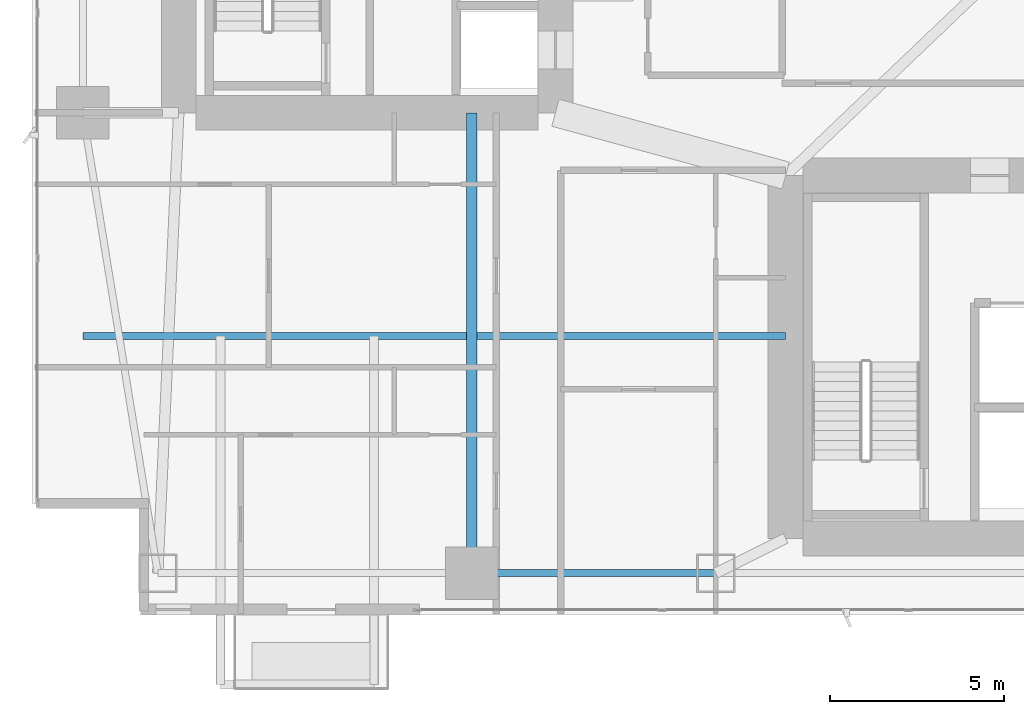
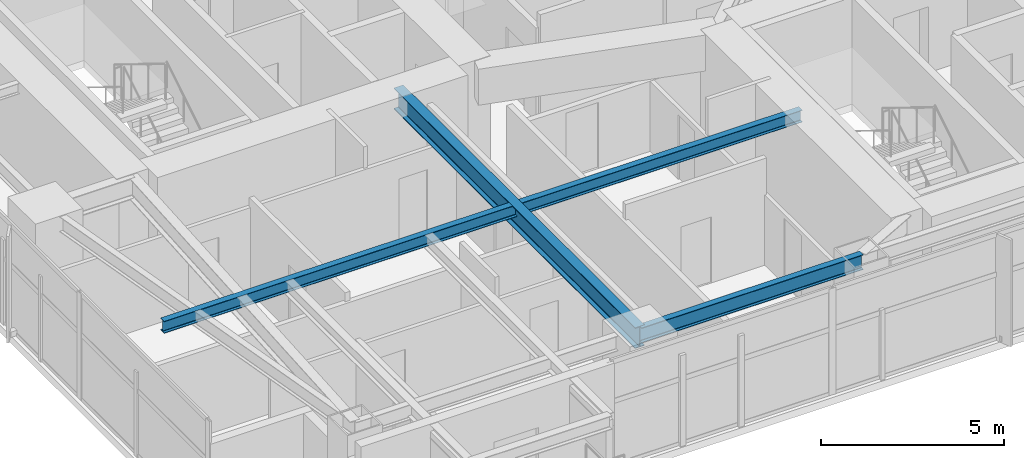
# One storey, part 5 of 29: 3 beams.
"""IFC4 building model written with IfcOpenShell, lengths in metres."""

from ifc_helpers import new_model, si_unit, direction, frame, origin, origin_2d, place, context, subcontext, project, spatial, i_section, extrude, material, material_profile, profile_set, type_object, element, save


model = new_model("IFC4")

# Units and contexts
model_context = context("Model", 3, precision=1e-05, world=origin(), true_north=direction((0.0, 1.0)))
body_context = subcontext(model_context, "Body", "Model", "MODEL_VIEW")
ifc_project = project(units=[si_unit("LENGTHUNIT", "METRE"), si_unit("AREAUNIT", "SQUARE_METRE"), si_unit("VOLUMEUNIT", "CUBIC_METRE"), si_unit("PLANEANGLEUNIT", "RADIAN"), si_unit("MASSUNIT", "GRAM", prefix="KILO")], contexts=[model_context])

# Site, building, storey
site_placement = place(None, origin())
site = spatial("IfcSite", under=ifc_project, at=site_placement, CompositionType="ELEMENT")
building_placement = place(site_placement, origin())
building = spatial("IfcBuilding", under=site, at=building_placement, Name="Calvorn Quay Hotel", CompositionType="ELEMENT")
storey_placement = place(building_placement, frame((0.0, 0.0, 38.39990234375)))
storey = spatial("IfcBuildingStorey", under=building, at=storey_placement, Name="L08", CompositionType="ELEMENT", Elevation=38.39990234375)

# Beams
ifc_material_1 = material(Name="Steel Q390GJC", Category="steel")
ifc_material_profile_1 = material_profile(ifc_material_1, i_section(OverallWidth=0.300048828125, OverallDepth=0.699951171875, WebThickness=0.012939453125, FlangeThickness=0.02392578125, FilletRadius=0.02392578125, at=origin_2d()), Name="HN700x300x13x24")
ifc_profile_set_1 = profile_set([ifc_material_profile_1], Name="Steel Q390GJC")
beam_type_1 = type_object("IfcBeamType", Name="BM-GIRD-MAIN", PredefinedType="BEAM", material=ifc_profile_set_1)
beam_1_placement = place(storey_placement, frame((12.60009765625, 3.60009765625, 3.190185546875), z_axis=(0.0, 1.0, 0.0), x_axis=(-1.0, 0.0, 0.0)))
element("IfcBeam", 1, at=beam_1_placement, inside=storey, type_object=beam_type_1, Name="Beam BG-L08-S1", PredefinedType="BEAM", context=body_context, shape_type="SweptSolid", body=[
    extrude(i_section(OverallWidth=0.300048828125, OverallDepth=0.699951171875, WebThickness=0.012939453125, FlangeThickness=0.02392578125, FilletRadius=0.02392578125, at=origin_2d()), origin(), (0.0, 0.0, 1.0), 13.199951171875),
])
ifc_material_2 = material(Name="Steel Q355B", Category="steel")
ifc_material_profile_2 = material_profile(ifc_material_2, i_section(OverallWidth=0.199951171875, OverallDepth=0.39990234375, WebThickness=0.008056640625, FlangeThickness=0.012939453125, FilletRadius=0.01611328125, at=origin_2d()), Name="HN400x200x8x13")
ifc_profile_set_2 = profile_set([ifc_material_profile_2], Name="Steel Q355B")
beam_type_2 = type_object("IfcBeamType", Name="BM-JOIST-TYP", PredefinedType="JOIST", material=ifc_profile_set_2)
beam_2_placement = place(storey_placement, frame((1.449951171875, 10.39990234375, 3.340087890625), z_axis=(1.0, 0.0, 0.0), x_axis=(0.0, 1.0, 0.0)))
element("IfcBeam", 2, at=beam_2_placement, inside=storey, type_object=beam_type_2, Name="Beam BJ-L08-W1", PredefinedType="JOIST", context=body_context, shape_type="SweptSolid", body=[
    extrude(i_section(OverallWidth=0.199951171875, OverallDepth=0.39990234375, WebThickness=0.008056640625, FlangeThickness=0.012939453125, FilletRadius=0.01611328125, at=origin_2d()), origin(), (0.0, 0.0, 1.0), 20.150146484375),
])
ifc_material_3 = material(Name="Steel Q355B", Category="steel")
ifc_material_profile_3 = material_profile(ifc_material_3, i_section(OverallWidth=0.199951171875, OverallDepth=0.5, WebThickness=0.010009765625, FlangeThickness=0.01611328125, FilletRadius=0.01611328125, at=origin_2d()), Name="HN500x200x10x16")
ifc_profile_set_3 = profile_set([ifc_material_profile_3], Name="Steel Q355B")
beam_type_3 = type_object("IfcBeamType", Name="BM-SPANDREL-Z1", PredefinedType="SPANDREL", material=ifc_profile_set_3)
beam_3_placement = place(storey_placement, frame((12.60009765625, 3.60009765625, 3.2900390625), z_axis=(1.0, 0.0, 0.0), x_axis=(0.0, 1.0, 0.0)))
element("IfcBeam", 3, at=beam_3_placement, inside=storey, type_object=beam_type_3, Name="Beam BSP-L08-S2", PredefinedType="SPANDREL", context=body_context, shape_type="SweptSolid", body=[
    extrude(i_section(OverallWidth=0.199951171875, OverallDepth=0.5, WebThickness=0.010009765625, FlangeThickness=0.01611328125, FilletRadius=0.01611328125, at=origin_2d()), origin(), (0.0, 0.0, 1.0), 7.0),
])

save(model, "model.ifc")
